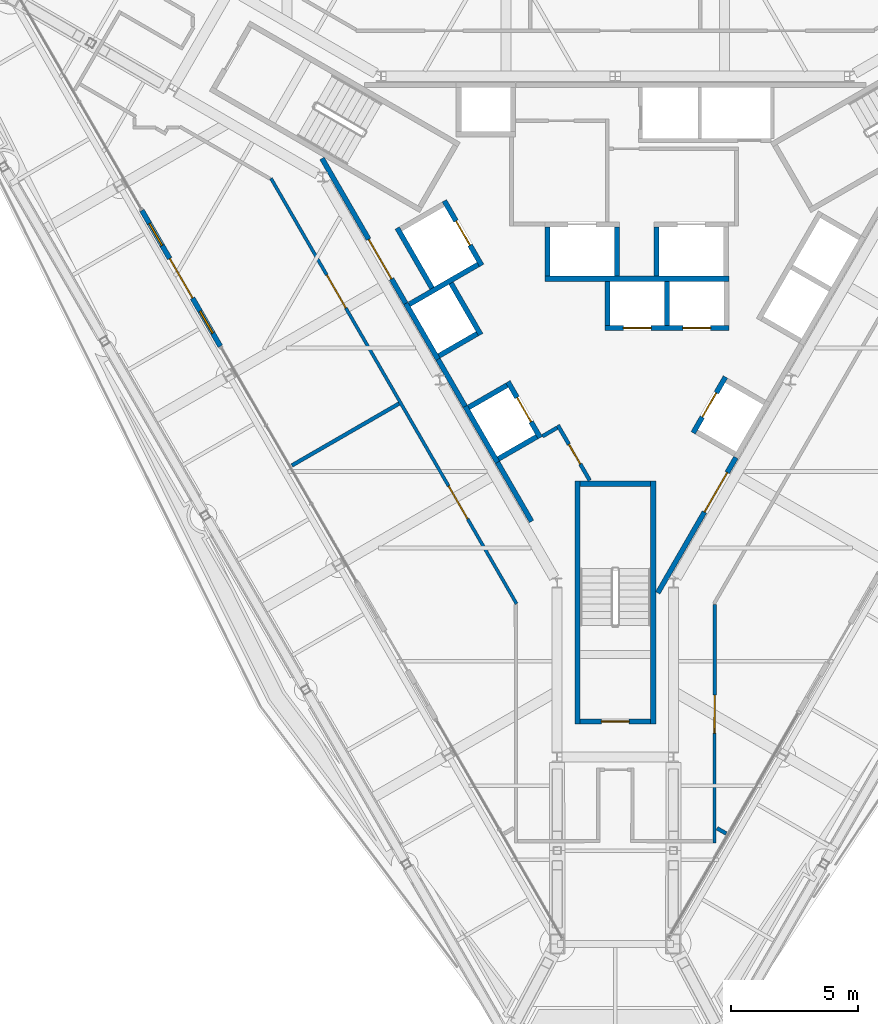
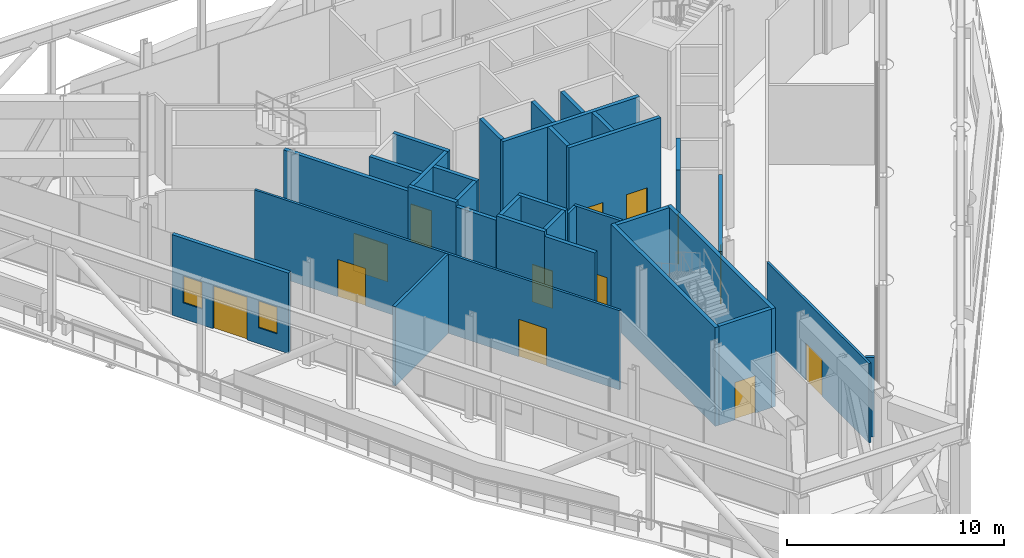
# One storey, part 14 of 24: 33 walls, 13 doors, 2 windows, 15 openings.
"""IFC4 building model written with IfcOpenShell, lengths in metres."""

from ifc_helpers import new_model, si_unit, direction, frame, frame_2d, origin, place, context, subcontext, project, spatial, rectangle, extrude, material, layer, layer_set, type_object, element, fill, save


model = new_model("IFC4")

# Units and contexts
model_context = context("Model", 3, precision=1e-05, world=origin(), true_north=direction((0.0, 1.0)))
body_context = subcontext(model_context, "Body", "Model", "MODEL_VIEW")
ifc_project = project(units=[si_unit("LENGTHUNIT", "METRE"), si_unit("AREAUNIT", "SQUARE_METRE"), si_unit("VOLUMEUNIT", "CUBIC_METRE"), si_unit("PLANEANGLEUNIT", "RADIAN"), si_unit("MASSUNIT", "GRAM", prefix="KILO")], contexts=[model_context])

# Site, building, storey
site_placement = place(None, origin())
site = spatial("IfcSite", under=ifc_project, at=site_placement, CompositionType="ELEMENT")
building_placement = place(site_placement, origin())
building = spatial("IfcBuilding", under=site, at=building_placement, Name="Verrane Prism Tower", CompositionType="ELEMENT")
storey_placement = place(building_placement, frame((0.0, 0.0, 200.60009765625)))
storey = spatial("IfcBuildingStorey", under=building, at=storey_placement, Name="L50", CompositionType="ELEMENT", Elevation=200.60009765625)

# Wall, opening, door
ifc_material_1 = material(Name="Gypsum board partition", Category="other")
ifc_layer_1 = layer(ifc_material_1, 0.199951171875)
ifc_layer_set_1 = layer_set([ifc_layer_1], Name="CW-200 core boundary wall 2 h")
wall_type_1 = type_object("IfcWallType", Name="CW-200 core boundary wall 2 h", PredefinedType="PARTITIONING", material=ifc_layer_set_1)
wall_1_placement = place(storey_placement, frame((-11.590576171875, 4.7548828125, 0.0), z_axis=(0.0, 0.0, 1.0), x_axis=(0.500043977787, -0.866000011708, 0.0)))
wall_1 = element("IfcWall", 1, at=wall_1_placement, inside=storey, type_object=wall_type_1, Name="Core boundary wall CW3-001", PredefinedType="PARTITIONING", context=body_context, shape_type="SweptSolid", body=[
    extrude(rectangle(XDim=6.61669921875, YDim=0.199951171875, at=frame_2d((3.308349609375, 0.0))), origin(), (0.0, 0.0, 1.0), 5.5498046875),
])
opening_1_placement = place(wall_1_placement, frame((3.695068359375, 0.0, 0.0)))
opening_1 = element("IfcOpeningElement", 2, at=opening_1_placement, cuts=wall_1, Name="Opening D50510", PredefinedType="OPENING", context=body_context, shape_type="SweptSolid", body=[
    extrude(rectangle(XDim=1.800048828125, YDim=2.10009765625, at=frame_2d((0.89990234375, 1.050048828125))), frame((0.0, 0.10986328125, 0.0), z_axis=(0.0, -1.0, 0.0), x_axis=(1.0, 0.0, 0.0)), (0.0, 0.0, 1.0), 0.219970703125),
])
ifc_material_2 = material(Name="Timber veneered door leaf", Category="wood")
door_type_1 = type_object("IfcDoorType", Name="DR-1800x2100 FD60 double leaf lift lobby", OperationType="NOTDEFINED", PredefinedType="DOOR", material=ifc_material_2)
door_1_placement = place(opening_1_placement, origin())
door_1 = element("IfcDoor", 3, at=door_1_placement, inside=storey, type_object=door_type_1, Name="Lift lobby door D50510", OperationType="DOUBLE_DOOR_SINGLE_SWING", OverallHeight=2.10009765625, OverallWidth=1.800048828125, PredefinedType="DOOR", context=body_context, shape_type="SweptSolid", body=[
    extrude(rectangle(XDim=1.800048828125, YDim=2.10009765625, at=frame_2d((0.89990234375, 1.050048828125))), frame((0.0, 0.02490234375, 0.0), z_axis=(0.0, -1.0, 0.0), x_axis=(1.0, 0.0, 0.0)), (0.0, 0.0, 1.0), 0.050048828125),
])
fill(opening_1, door_1)

# Walls
wall_2_placement = place(storey_placement, frame((-7.0048828125, -3.18701171875, 0.0), z_axis=(0.0, 0.0, 1.0), x_axis=(0.499689606989, -0.866204535123, 0.0)))
element("IfcWall", 4, at=wall_2_placement, inside=storey, type_object=wall_type_1, Name="Core boundary wall CW3-003", PredefinedType="PARTITIONING", context=body_context, shape_type="SweptSolid", body=[
    extrude(rectangle(XDim=2.144775390625, YDim=0.199951171875, at=frame_2d((1.072265625, 0.0))), origin(), (0.0, 0.0, 1.0), 5.5498046875),
])
wall_3_placement = place(storey_placement, frame((-4.655029296875, -7.257080078125, 0.0), z_axis=(0.0, 0.0, 1.0), x_axis=(0.499874203012, -0.866098020528, 0.0)))
element("IfcWall", 5, at=wall_3_placement, inside=storey, type_object=wall_type_1, Name="Core boundary wall CW3-004", PredefinedType="PARTITIONING", context=body_context, shape_type="SweptSolid", body=[
    extrude(rectangle(XDim=2.692626953125, YDim=0.199951171875, at=frame_2d((1.34619140625, 0.0))), origin(), (0.0, 0.0, 1.0), 5.5498046875),
])

# Wall, opening, door
wall_4_placement = place(storey_placement, frame((1.677490234375, -12.414794921875, 0.0), z_axis=(0.0, 0.0, 1.0), x_axis=(0.500054337157, 0.865994029939, 0.0)))
wall_4 = element("IfcWall", 6, at=wall_4_placement, inside=storey, type_object=wall_type_1, Name="Core boundary wall CW3-006", PredefinedType="PARTITIONING", context=body_context, shape_type="SweptSolid", body=[
    extrude(rectangle(XDim=6.176513671875, YDim=0.199951171875, at=frame_2d((3.08837890625, 0.0))), origin(), (0.0, 0.0, 1.0), 5.5498046875),
])
opening_2_placement = place(wall_4_placement, frame((3.695068359375, 0.0, 0.0)))
opening_2 = element("IfcOpeningElement", 7, at=opening_2_placement, cuts=wall_4, Name="Opening D50516", PredefinedType="OPENING", context=body_context, shape_type="SweptSolid", body=[
    extrude(rectangle(XDim=1.800048828125, YDim=2.10009765625, at=frame_2d((0.89990234375, 1.050048828125))), frame((0.0, 0.10986328125, 0.0), z_axis=(0.0, -1.0, 0.0), x_axis=(1.0, 0.0, 0.0)), (0.0, 0.0, 1.0), 0.219970703125),
])
door_2_placement = place(opening_2_placement, origin())
door_2 = element("IfcDoor", 8, at=door_2_placement, inside=storey, type_object=door_type_1, Name="Lift lobby door D50516", OperationType="DOUBLE_DOOR_SINGLE_SWING", OverallHeight=2.10009765625, OverallWidth=1.800048828125, PredefinedType="DOOR", context=body_context, shape_type="SweptSolid", body=[
    extrude(rectangle(XDim=1.800048828125, YDim=2.10009765625, at=frame_2d((0.89990234375, 1.050048828125))), frame((0.0, 0.02490234375, 0.0), z_axis=(0.0, -1.0, 0.0), x_axis=(1.0, 0.0, 0.0)), (0.0, 0.0, 1.0), 0.050048828125),
])
fill(opening_2, door_2)

ifc_material_3 = material(Name="Concrete C40/50", Category="concrete")
ifc_layer_2 = layer(ifc_material_3, 0.199951171875)
ifc_layer_set_2 = layer_set([ifc_layer_2], Name="CW-200 stair core wall concrete C40/50 3 h")
wall_type_2 = type_object("IfcWallType", Name="CW-200 stair core wall concrete C40/50 3 h", PredefinedType="PARTITIONING", material=ifc_layer_set_2)
wall_5_placement = place(storey_placement, frame((-1.39990234375, -17.5, 0.0), z_axis=(0.0, 0.0, 1.0), x_axis=(1.0, 0.0, 0.0)))
wall_5 = element("IfcWall", 9, at=wall_5_placement, inside=storey, type_object=wall_type_2, Name="Stair 3 enclosure wall", PredefinedType="PARTITIONING", context=body_context, shape_type="SweptSolid", body=[
    extrude(rectangle(XDim=2.7998046875, YDim=0.199951171875, at=frame_2d((1.39990234375, 0.0))), origin(), (0.0, 0.0, 1.0), 5.5498046875),
])
opening_3_placement = place(wall_5_placement, frame((0.85009765625, 0.0, 0.0)))
opening_3 = element("IfcOpeningElement", 10, at=opening_3_placement, cuts=wall_5, Name="Opening D50502", PredefinedType="OPENING", context=body_context, shape_type="SweptSolid", body=[
    extrude(rectangle(XDim=1.10009765625, YDim=2.10009765625, at=frame_2d((0.550048828125, 1.050048828125))), frame((0.0, 0.10986328125, 0.0), z_axis=(0.0, -1.0, 0.0), x_axis=(1.0, 0.0, 0.0)), (0.0, 0.0, 1.0), 0.219970703125),
])
ifc_material_4 = material(Name="Timber veneered door leaf", Category="wood")
door_type_2 = type_object("IfcDoorType", Name="DR-1100x2100 FD90 single leaf stair", OperationType="NOTDEFINED", PredefinedType="DOOR", material=ifc_material_4)
door_3_placement = place(opening_3_placement, origin())
door_3 = element("IfcDoor", 11, at=door_3_placement, inside=storey, type_object=door_type_2, Name="Stair 3 door", OperationType="SINGLE_SWING_LEFT", OverallHeight=2.10009765625, OverallWidth=1.10009765625, PredefinedType="DOOR", context=body_context, shape_type="SweptSolid", body=[
    extrude(rectangle(XDim=1.10009765625, YDim=2.10009765625, at=frame_2d((0.550048828125, 1.050048828125))), frame((0.0, 0.02490234375, 0.0), z_axis=(0.0, -1.0, 0.0), x_axis=(1.0, 0.0, 0.0)), (0.0, 0.0, 1.0), 0.050048828125),
])
fill(opening_3, door_3)

# Walls
for number, where, z_axis, x_axis, name in (
    (12, (1.5, -8.0, 0.0), (0.0, 0.0, 1.0), (0.0, -1.0, 0.0), "Stair 3 enclosure wall"),
    (13, (-1.5, -8.0, 0.0), (0.0, 0.0, 1.0), (0.0, -1.0, 0.0), "Stair 3 enclosure wall"),
):
    element("IfcWall", number, at=place(storey_placement, frame(where, z_axis=z_axis, x_axis=x_axis)), inside=storey, type_object=wall_type_2, Name=name, PredefinedType="PARTITIONING", context=body_context, shape_type="SweptSolid", body=[
        extrude(rectangle(XDim=9.60009765625, YDim=0.199951171875, at=frame_2d((4.800048828125, 0.0))), origin(), (0.0, 0.0, 1.0), 5.5498046875),
    ])
wall_6_placement = place(storey_placement, frame((-1.39990234375, -8.10009765625, 0.0), z_axis=(0.0, 0.0, 1.0), x_axis=(1.0, 0.0, 0.0)))
element("IfcWall", 14, at=wall_6_placement, inside=storey, type_object=wall_type_2, Name="Stair 3 enclosure wall", PredefinedType="PARTITIONING", context=body_context, shape_type="SweptSolid", body=[
    extrude(rectangle(XDim=2.7998046875, YDim=0.199951171875, at=frame_2d((1.39990234375, 0.0))), origin(), (0.0, 0.0, 1.0), 5.5498046875),
])

# Wall, openings, doors
ifc_material_5 = material(Name="Gypsum board shaft wall assembly", Category="other")
ifc_layer_3 = layer(ifc_material_5, 0.199951171875)
ifc_layer_set_3 = layer_set([ifc_layer_3], Name="HW-200 lift shaft wall 2 h")
wall_type_3 = type_object("IfcWallType", Name="HW-200 lift shaft wall 2 h", PredefinedType="PARTITIONING", material=ifc_layer_set_3)
wall_7_placement = place(storey_placement, frame((-0.405029296875, -1.949951171875, 0.0), z_axis=(0.0, 0.0, 1.0), x_axis=(1.0, 0.0, 0.0)))
wall_7 = element("IfcWall", 15, at=wall_7_placement, inside=storey, type_object=wall_type_3, Name="Lift shaft wall", PredefinedType="PARTITIONING", context=body_context, shape_type="SweptSolid", body=[
    extrude(rectangle(XDim=4.900146484375, YDim=0.199951171875, at=frame_2d((2.4501953125, 0.0))), origin(), (0.0, 0.0, 1.0), 5.7998046875),
])
opening_4_placement = place(wall_7_placement, frame((0.72509765625, 0.0, 0.0)))
opening_4 = element("IfcOpeningElement", 16, at=opening_4_placement, cuts=wall_7, Name="Opening D50503", PredefinedType="OPENING", context=body_context, shape_type="SweptSolid", body=[
    extrude(rectangle(XDim=1.10009765625, YDim=2.10009765625, at=frame_2d((0.550048828125, 1.050048828125))), frame((0.0, 0.10986328125, 0.0), z_axis=(0.0, -1.0, 0.0), x_axis=(1.0, 0.0, 0.0)), (0.0, 0.0, 1.0), 0.219970703125),
])
opening_5_placement = place(wall_7_placement, frame((3.074951171875, 0.0, 0.0)))
opening_5 = element("IfcOpeningElement", 17, at=opening_5_placement, cuts=wall_7, Name="Opening D50504", PredefinedType="OPENING", context=body_context, shape_type="SweptSolid", body=[
    extrude(rectangle(XDim=1.10009765625, YDim=2.10009765625, at=frame_2d((0.550048828125, 1.050048828125))), frame((0.0, 0.10986328125, 0.0), z_axis=(0.0, -1.0, 0.0), x_axis=(1.0, 0.0, 0.0)), (0.0, 0.0, 1.0), 0.219970703125),
])
ifc_material_6 = material(Name="Stainless steel sliding landing door", Category="steel")
door_type_3 = type_object("IfcDoorType", Name="LD-1100x2100 lift landing door FD90 sliding", OperationType="NOTDEFINED", PredefinedType="DOOR", material=ifc_material_6)
door_4_placement = place(opening_4_placement, origin())
door_4 = element("IfcDoor", 18, at=door_4_placement, inside=storey, type_object=door_type_3, Name="Bank B lift 1 landing door", OperationType="SLIDING_TO_LEFT", OverallHeight=2.10009765625, OverallWidth=1.10009765625, PredefinedType="DOOR", context=body_context, shape_type="SweptSolid", body=[
    extrude(rectangle(XDim=1.10009765625, YDim=2.10009765625, at=frame_2d((0.550048828125, 1.050048828125))), frame((0.0, 0.02490234375, 0.0), z_axis=(0.0, -1.0, 0.0), x_axis=(1.0, 0.0, 0.0)), (0.0, 0.0, 1.0), 0.050048828125),
])
fill(opening_4, door_4)
door_5_placement = place(opening_5_placement, origin())
door_5 = element("IfcDoor", 19, at=door_5_placement, inside=storey, type_object=door_type_3, Name="Bank B lift 2 landing door", OperationType="SLIDING_TO_RIGHT", OverallHeight=2.10009765625, OverallWidth=1.10009765625, PredefinedType="DOOR", context=body_context, shape_type="SweptSolid", body=[
    extrude(rectangle(XDim=1.10009765625, YDim=2.10009765625, at=frame_2d((0.550048828125, 1.050048828125))), frame((0.0, 0.02490234375, 0.0), z_axis=(0.0, -1.0, 0.0), x_axis=(1.0, 0.0, 0.0)), (0.0, 0.0, 1.0), 0.050048828125),
])
fill(opening_5, door_5)

# Walls
wall_8_placement = place(storey_placement, frame((-2.784912109375, 0.0, 0.0), z_axis=(0.0, 0.0, 1.0), x_axis=(1.0, 0.0, 0.0)))
element("IfcWall", 20, at=wall_8_placement, inside=storey, type_object=wall_type_3, Name="Lift shaft wall", PredefinedType="PARTITIONING", context=body_context, shape_type="SweptSolid", body=[
    extrude(rectangle(XDim=7.280029296875, YDim=0.199951171875, at=frame_2d((3.64013671875, 0.0))), origin(), (0.0, 0.0, 1.0), 5.7998046875),
])
for number, where, z_axis, x_axis, name in (
    (21, (-4.61962890625, -7.118408203125, 0.0), (0.0, 0.0, 1.0), (0.866036909293, 0.499980071345, 0.0), "Lift shaft wall"),
    (22, (-5.794677734375, -5.083251953125, 0.0), (0.0, 0.0, 1.0), (0.866036909293, 0.499980071345, 0.0), "Lift shaft wall"),
    (23, (-6.9697265625, -3.048095703125, 0.0), (0.0, 0.0, 1.0), (0.866036909293, 0.499980071345, 0.0), "Lift shaft wall"),
):
    element("IfcWall", number, at=place(storey_placement, frame(where, z_axis=z_axis, x_axis=x_axis)), inside=storey, type_object=wall_type_3, Name=name, PredefinedType="PARTITIONING", context=body_context, shape_type="SweptSolid", body=[
        extrude(rectangle(XDim=1.75, YDim=0.199951171875, at=frame_2d((0.875, 0.0))), origin(), (0.0, 0.0, 1.0), 5.7998046875),
    ])
wall_9_placement = place(storey_placement, frame((-8.14453125, -1.012939453125, 0.0), z_axis=(0.0, 0.0, 1.0), x_axis=(0.866016494683, 0.500015430699, 0.0)))
element("IfcWall", 24, at=wall_9_placement, inside=storey, type_object=wall_type_3, Name="Lift shaft wall", PredefinedType="PARTITIONING", context=body_context, shape_type="SweptSolid", body=[
    extrude(rectangle(XDim=3.14990234375, YDim=0.199951171875, at=frame_2d((1.574951171875, 0.0))), origin(), (0.0, 0.0, 1.0), 5.7998046875),
])

# Wall, opening, door
wall_10_placement = place(storey_placement, frame((3.077392578125, -6.089599609375, 0.0), z_axis=(0.0, 0.0, 1.0), x_axis=(0.500062241894, 0.865989465428, 0.0)))
wall_10 = element("IfcWall", 25, at=wall_10_placement, inside=storey, type_object=wall_type_3, Name="Lift shaft wall", PredefinedType="PARTITIONING", context=body_context, shape_type="SweptSolid", body=[
    extrude(rectangle(XDim=2.550048828125, YDim=0.199951171875, at=frame_2d((1.27490234375, 0.0))), origin(), (0.0, 0.0, 1.0), 5.7998046875),
])
opening_6_placement = place(wall_10_placement, frame((0.72509765625, 0.0, 0.0)))
opening_6 = element("IfcOpeningElement", 26, at=opening_6_placement, cuts=wall_10, Name="Opening D50505", PredefinedType="OPENING", context=body_context, shape_type="SweptSolid", body=[
    extrude(rectangle(XDim=1.10009765625, YDim=2.10009765625, at=frame_2d((0.550048828125, 1.050048828125))), frame((0.0, 0.10986328125, 0.0), z_axis=(0.0, -1.0, 0.0), x_axis=(1.0, 0.0, 0.0)), (0.0, 0.0, 1.0), 0.219970703125),
])
door_6_placement = place(opening_6_placement, origin())
door_6 = element("IfcDoor", 27, at=door_6_placement, inside=storey, type_object=door_type_3, Name="Bank B lift 3 landing door", OperationType="SLIDING_TO_LEFT", OverallHeight=2.10009765625, OverallWidth=1.10009765625, PredefinedType="DOOR", context=body_context, shape_type="SweptSolid", body=[
    extrude(rectangle(XDim=1.10009765625, YDim=2.10009765625, at=frame_2d((0.550048828125, 1.050048828125))), frame((0.0, 0.02490234375, 0.0), z_axis=(0.0, -1.0, 0.0), x_axis=(1.0, 0.0, 0.0)), (0.0, 0.0, 1.0), 0.050048828125),
])
fill(opening_6, door_6)

# Walls
wall_11_placement = place(storey_placement, frame((2.044921875, -1.85009765625, 0.0), z_axis=(0.0, 0.0, 1.0), x_axis=(0.0, 1.0, 0.0)))
element("IfcWall", 28, at=wall_11_placement, inside=storey, type_object=wall_type_3, Name="Lift shaft wall", PredefinedType="PARTITIONING", context=body_context, shape_type="SweptSolid", body=[
    extrude(rectangle(XDim=1.75, YDim=0.199951171875, at=frame_2d((0.875, 0.0))), origin(), (0.0, 0.0, 1.0), 5.7998046875),
])
for number, where, z_axis, x_axis, name in (
    (29, (1.625, 0.10009765625, 0.0), (0.0, 0.0, 1.0), (0.0, 1.0, 0.0), "Lift shaft wall"),
    (30, (0.06494140625, 0.10009765625, 0.0), (0.0, 0.0, 1.0), (0.0, 1.0, 0.0), "Lift shaft wall"),
):
    element("IfcWall", number, at=place(storey_placement, frame(where, z_axis=z_axis, x_axis=x_axis)), inside=storey, type_object=wall_type_3, Name=name, PredefinedType="PARTITIONING", context=body_context, shape_type="SweptSolid", body=[
        extrude(rectangle(XDim=1.949951171875, YDim=0.199951171875, at=frame_2d((0.97509765625, 0.0))), origin(), (0.0, 0.0, 1.0), 5.7998046875),
    ])
wall_12_placement = place(storey_placement, frame((-0.304931640625, -1.85009765625, 0.0), z_axis=(0.0, 0.0, 1.0), x_axis=(0.0, 1.0, 0.0)))
element("IfcWall", 31, at=wall_12_placement, inside=storey, type_object=wall_type_3, Name="Lift shaft wall", PredefinedType="PARTITIONING", context=body_context, shape_type="SweptSolid", body=[
    extrude(rectangle(XDim=1.75, YDim=0.199951171875, at=frame_2d((0.875, 0.0))), origin(), (0.0, 0.0, 1.0), 5.7998046875),
])
wall_13_placement = place(storey_placement, frame((-2.68505859375, 0.10009765625, 0.0), z_axis=(0.0, 0.0, 1.0), x_axis=(0.0, 1.0, 0.0)))
element("IfcWall", 32, at=wall_13_placement, inside=storey, type_object=wall_type_3, Name="Lift shaft wall", PredefinedType="PARTITIONING", context=body_context, shape_type="SweptSolid", body=[
    extrude(rectangle(XDim=1.949951171875, YDim=0.199951171875, at=frame_2d((0.97509765625, 0.0))), origin(), (0.0, 0.0, 1.0), 5.7998046875),
])

# Wall, opening, door
wall_14_placement = place(storey_placement, frame((-5.280029296875, 0.525390625, 0.0), z_axis=(0.0, 0.0, 1.0), x_axis=(-0.500037662692, 0.866003658127, 0.0)))
wall_14 = element("IfcWall", 33, at=wall_14_placement, inside=storey, type_object=wall_type_3, Name="Lift shaft wall", PredefinedType="PARTITIONING", context=body_context, shape_type="SweptSolid", body=[
    extrude(rectangle(XDim=2.949951171875, YDim=0.199951171875, at=frame_2d((1.47509765625, 0.0))), origin(), (0.0, 0.0, 1.0), 5.7998046875),
])
opening_7_placement = place(wall_14_placement, frame((0.925048828125, 0.0, 0.0)))
opening_7 = element("IfcOpeningElement", 34, at=opening_7_placement, cuts=wall_14, Name="Opening D50509", PredefinedType="OPENING", context=body_context, shape_type="SweptSolid", body=[
    extrude(rectangle(XDim=1.10009765625, YDim=2.10009765625, at=frame_2d((0.550048828125, 1.050048828125))), frame((0.0, 0.10986328125, 0.0), z_axis=(0.0, -1.0, 0.0), x_axis=(1.0, 0.0, 0.0)), (0.0, 0.0, 1.0), 0.219970703125),
])
door_7_placement = place(opening_7_placement, origin())
door_7 = element("IfcDoor", 35, at=door_7_placement, inside=storey, type_object=door_type_3, Name="Service lift 1 landing door", OperationType="SLIDING_TO_LEFT", OverallHeight=2.10009765625, OverallWidth=1.10009765625, PredefinedType="DOOR", context=body_context, shape_type="SweptSolid", body=[
    extrude(rectangle(XDim=1.10009765625, YDim=2.10009765625, at=frame_2d((0.550048828125, 1.050048828125))), frame((0.0, 0.02490234375, 0.0), z_axis=(0.0, -1.0, 0.0), x_axis=(1.0, 0.0, 0.0)), (0.0, 0.0, 1.0), 0.050048828125),
])
fill(opening_7, door_7)

wall_15_placement = place(storey_placement, frame((-2.967529296875, -6.280029296875, 0.0), z_axis=(0.0, 0.0, 1.0), x_axis=(-0.499990435942, 0.866030925526, 0.0)))
wall_15 = element("IfcWall", 36, at=wall_15_placement, inside=storey, type_object=wall_type_3, Name="Lift shaft wall", PredefinedType="PARTITIONING", context=body_context, shape_type="SweptSolid", body=[
    extrude(rectangle(XDim=2.5498046875, YDim=0.199951171875, at=frame_2d((1.27490234375, 0.0))), origin(), (0.0, 0.0, 1.0), 5.7998046875),
])
opening_8_placement = place(wall_15_placement, frame((0.72509765625, 0.0, 0.0)))
opening_8 = element("IfcOpeningElement", 37, at=opening_8_placement, cuts=wall_15, Name="Opening D50506", PredefinedType="OPENING", context=body_context, shape_type="SweptSolid", body=[
    extrude(rectangle(XDim=1.10009765625, YDim=2.10009765625, at=frame_2d((0.550048828125, 1.050048828125))), frame((0.0, 0.10986328125, 0.0), z_axis=(0.0, -1.0, 0.0), x_axis=(1.0, 0.0, 0.0)), (0.0, 0.0, 1.0), 0.219970703125),
])
door_8_placement = place(opening_8_placement, origin())
door_8 = element("IfcDoor", 38, at=door_8_placement, inside=storey, type_object=door_type_3, Name="Bank B lift 4 landing door", OperationType="SLIDING_TO_RIGHT", OverallHeight=2.10009765625, OverallWidth=1.10009765625, PredefinedType="DOOR", context=body_context, shape_type="SweptSolid", body=[
    extrude(rectangle(XDim=1.10009765625, YDim=2.10009765625, at=frame_2d((0.550048828125, 1.050048828125))), frame((0.0, 0.02490234375, 0.0), z_axis=(0.0, -1.0, 0.0), x_axis=(1.0, 0.0, 0.0)), (0.0, 0.0, 1.0), 0.050048828125),
])
fill(opening_8, door_8)

# Walls
wall_16_placement = place(storey_placement, frame((-5.317626953125, -2.209716796875, 0.0), z_axis=(0.0, 0.0, 1.0), x_axis=(-0.499938297808, 0.866061024631, 0.0)))
element("IfcWall", 39, at=wall_16_placement, inside=storey, type_object=wall_type_3, Name="Lift shaft wall", PredefinedType="PARTITIONING", context=body_context, shape_type="SweptSolid", body=[
    extrude(rectangle(XDim=2.349853515625, YDim=0.199951171875, at=frame_2d((1.1748046875, 0.0))), origin(), (0.0, 0.0, 1.0), 5.7998046875),
])
wall_17_placement = place(storey_placement, frame((-7.241943359375, -0.37646484375, 0.0), z_axis=(0.0, 0.0, 1.0), x_axis=(-0.499996545922, 0.866027397988, 0.0)))
element("IfcWall", 40, at=wall_17_placement, inside=storey, type_object=wall_type_3, Name="Lift shaft wall", PredefinedType="PARTITIONING", context=body_context, shape_type="SweptSolid", body=[
    extrude(rectangle(XDim=2.75, YDim=0.199951171875, at=frame_2d((1.375, 0.0))), origin(), (0.0, 0.0, 1.0), 5.7998046875),
])
for number, where, z_axis, x_axis, name in (
    (41, (-4.65625, -7.255126953125, 0.0), (0.0, 0.0, 1.0), (-0.499990435942, 0.866030925526, 0.0), "Lift shaft wall"),
    (42, (-7.00634765625, -3.184814453125, 0.0), (0.0, 0.0, 1.0), (-0.499990435942, 0.866030925526, 0.0), "Lift shaft wall"),
):
    element("IfcWall", number, at=place(storey_placement, frame(where, z_axis=z_axis, x_axis=x_axis)), inside=storey, type_object=wall_type_3, Name=name, PredefinedType="PARTITIONING", context=body_context, shape_type="SweptSolid", body=[
        extrude(rectangle(XDim=2.5498046875, YDim=0.199951171875, at=frame_2d((1.27490234375, 0.0))), origin(), (0.0, 0.0, 1.0), 5.7998046875),
    ])

# Wall, openings, doors
ifc_material_7 = material(Name="Gypsum board partition", Category="other")
ifc_layer_4 = layer(ifc_material_7, 0.125)
ifc_layer_set_4 = layer_set([ifc_layer_4], Name="PW-125 corridor wall 1 h")
wall_type_4 = type_object("IfcWallType", Name="PW-125 corridor wall 1 h", PredefinedType="PARTITIONING", material=ifc_layer_set_4)
wall_18_placement = place(storey_placement, frame((-3.900634765625, -12.84423828125, 0.0), z_axis=(0.0, 0.0, 1.0), x_axis=(-0.499989213553, 0.866031631253, 0.0)))
wall_18 = element("IfcWall", 43, at=wall_18_placement, inside=storey, type_object=wall_type_4, Name="Corridor wall 019", PredefinedType="PARTITIONING", context=body_context, shape_type="SweptSolid", body=[
    extrude(rectangle(XDim=19.40966796875, YDim=0.125, at=frame_2d((9.704833984375, 0.0))), origin(), (0.0, 0.0, 1.0), 4.4619140625),
])
opening_9_placement = place(wall_18_placement, frame((13.4970703125, 0.0, 0.0)))
opening_9 = element("IfcOpeningElement", 44, at=opening_9_placement, cuts=wall_18, Name="Opening D50004", PredefinedType="OPENING", context=body_context, shape_type="SweptSolid", body=[
    extrude(rectangle(XDim=1.5, YDim=2.10009765625, at=frame_2d((0.75, 1.050048828125))), frame((0.0, 0.072509765625, 0.0), z_axis=(0.0, -1.0, 0.0), x_axis=(1.0, 0.0, 0.0)), (0.0, 0.0, 1.0), 0.14501953125),
])
opening_10_placement = place(wall_18_placement, frame((3.873046875, 0.0, 0.0)))
opening_10 = element("IfcOpeningElement", 45, at=opening_10_placement, cuts=wall_18, Name="Opening D50005", PredefinedType="OPENING", context=body_context, shape_type="SweptSolid", body=[
    extrude(rectangle(XDim=1.5, YDim=2.10009765625, at=frame_2d((0.75, 1.050048828125))), frame((0.0, 0.072509765625, 0.0), z_axis=(0.0, -1.0, 0.0), x_axis=(1.0, 0.0, 0.0)), (0.0, 0.0, 1.0), 0.14501953125),
])
ifc_material_8 = material(Name="Timber veneered door leaf", Category="wood")
door_type_4 = type_object("IfcDoorType", Name="DR-1500x2100 FD60 double leaf unit", OperationType="NOTDEFINED", PredefinedType="DOOR", material=ifc_material_8)
door_9_placement = place(opening_9_placement, origin())
door_9 = element("IfcDoor", 46, at=door_9_placement, inside=storey, type_object=door_type_4, Name="Refuge Area door", OperationType="DOUBLE_DOOR_SINGLE_SWING", OverallHeight=2.10009765625, OverallWidth=1.5, PredefinedType="DOOR", context=body_context, shape_type="SweptSolid", body=[
    extrude(rectangle(XDim=1.5, YDim=2.10009765625, at=frame_2d((0.75, 1.050048828125))), frame((0.0, 0.02490234375, 0.0), z_axis=(0.0, -1.0, 0.0), x_axis=(1.0, 0.0, 0.0)), (0.0, 0.0, 1.0), 0.050048828125),
])
fill(opening_9, door_9)
door_10_placement = place(opening_10_placement, origin())
door_10 = element("IfcDoor", 47, at=door_10_placement, inside=storey, type_object=door_type_4, Name="Refuge Area door", OperationType="DOUBLE_DOOR_SINGLE_SWING", OverallHeight=2.10009765625, OverallWidth=1.5, PredefinedType="DOOR", context=body_context, shape_type="SweptSolid", body=[
    extrude(rectangle(XDim=1.5, YDim=2.10009765625, at=frame_2d((0.75, 1.050048828125))), frame((0.0, 0.02490234375, 0.0), z_axis=(0.0, -1.0, 0.0), x_axis=(1.0, 0.0, 0.0)), (0.0, 0.0, 1.0), 0.050048828125),
])
fill(opening_10, door_10)

# Wall, opening, door
wall_19_placement = place(storey_placement, frame((3.931884765625, -12.875, 0.0), z_axis=(0.0, 0.0, 1.0), x_axis=(-0.001477830899, -0.999998908007, 0.0)))
wall_19 = element("IfcWall", 48, at=wall_19_placement, inside=storey, type_object=wall_type_4, Name="Corridor wall 031", PredefinedType="PARTITIONING", context=body_context, shape_type="SweptSolid", body=[
    extrude(rectangle(XDim=9.41650390625, YDim=0.125, at=frame_2d((4.708251953125, 0.0))), origin(), (0.0, 0.0, 1.0), 4.4619140625),
])
opening_11_placement = place(wall_19_placement, frame((3.580078125, 0.0, 0.0)))
opening_11 = element("IfcOpeningElement", 49, at=opening_11_placement, cuts=wall_19, Name="Opening D50007", PredefinedType="OPENING", context=body_context, shape_type="SweptSolid", body=[
    extrude(rectangle(XDim=1.5, YDim=2.10009765625, at=frame_2d((0.75, 1.050048828125))), frame((0.0, 0.072509765625, 0.0), z_axis=(0.0, -1.0, 0.0), x_axis=(1.0, 0.0, 0.0)), (0.0, 0.0, 1.0), 0.14501953125),
])
door_11_placement = place(opening_11_placement, origin())
door_11 = element("IfcDoor", 50, at=door_11_placement, inside=storey, type_object=door_type_4, Name="Refuge Area door", OperationType="DOUBLE_DOOR_SINGLE_SWING", OverallHeight=2.10009765625, OverallWidth=1.5, PredefinedType="DOOR", context=body_context, shape_type="SweptSolid", body=[
    extrude(rectangle(XDim=1.5, YDim=2.10009765625, at=frame_2d((0.75, 1.050048828125))), frame((0.0, 0.02490234375, 0.0), z_axis=(0.0, -1.0, 0.0), x_axis=(1.0, 0.0, 0.0)), (0.0, 0.0, 1.0), 0.050048828125),
])
fill(opening_11, door_11)

# Walls
ifc_material_9 = material(Name="Gypsum board partition", Category="other")
ifc_layer_5 = layer(ifc_material_9, 0.14990234375)
ifc_layer_set_5 = layer_set([ifc_layer_5], Name="PW-150 demising wall 1 h")
wall_type_5 = type_object("IfcWallType", Name="PW-150 demising wall 1 h", PredefinedType="PARTITIONING", material=ifc_layer_set_5)
wall_20_placement = place(storey_placement, frame((-12.7783203125, -7.377685546875, 0.0), z_axis=(0.0, 0.0, 1.0), x_axis=(0.866027544323, 0.49999629246, 0.0)))
element("IfcWall", 51, at=wall_20_placement, inside=storey, type_object=wall_type_5, Name="Demising wall 020", PredefinedType="PARTITIONING", context=body_context, shape_type="SweptSolid", body=[
    extrude(rectangle(XDim=4.8876953125, YDim=0.14990234375, at=frame_2d((2.44384765625, 0.0))), origin(), (0.0, 0.0, 1.0), 4.4619140625),
])
wall_21_placement = place(storey_placement, frame((4.018798828125, -21.712646484375, 0.0), z_axis=(0.0, 0.0, 1.0), x_axis=(0.86626321595, -0.499587870841, 0.0)))
element("IfcWall", 52, at=wall_21_placement, inside=storey, type_object=wall_type_5, Name="Demising wall 032", PredefinedType="PARTITIONING", context=body_context, shape_type="SweptSolid", body=[
    extrude(rectangle(XDim=0.418701171875, YDim=0.14990234375, at=frame_2d((0.20947265625, 0.0))), origin(), (0.0, 0.0, 1.0), 4.4619140625),
])
ifc_material_10 = material(Name="Gypsum board partition", Category="other")
ifc_layer_6 = layer(ifc_material_10, 0.14990234375)
ifc_layer_set_6 = layer_set([ifc_layer_6], Name="RS-150 riser enclosure wall 1 h")
wall_type_6 = type_object("IfcWallType", Name="RS-150 riser enclosure wall 1 h", PredefinedType="PARTITIONING", material=ifc_layer_set_6)
wall_22_placement = place(storey_placement, frame((-2.8798828125, -6.22607421875, 0.0), z_axis=(0.0, 0.0, 1.0), x_axis=(0.864778766909, 0.502153048684, 0.0)))
element("IfcWall", 53, at=wall_22_placement, inside=storey, type_object=wall_type_6, Name="Riser wall RS3-001", PredefinedType="PARTITIONING", context=body_context, shape_type="SweptSolid", body=[
    extrude(rectangle(XDim=0.671875, YDim=0.14990234375, at=frame_2d((0.3359375, 0.0))), origin(), (0.0, 0.0, 1.0), 5.5498046875),
])

# Wall, opening, door
wall_23_placement = place(storey_placement, frame((-1.010498046875, -7.9697265625, 0.0), z_axis=(0.0, 0.0, 1.0), x_axis=(-0.500085626378, 0.865975961728, 0.0)))
wall_23 = element("IfcWall", 54, at=wall_23_placement, inside=storey, type_object=wall_type_6, Name="Riser wall RS3-002", PredefinedType="PARTITIONING", context=body_context, shape_type="SweptSolid", body=[
    extrude(rectangle(XDim=2.521484375, YDim=0.14990234375, at=frame_2d((1.2607421875, 0.0))), origin(), (0.0, 0.0, 1.0), 5.5498046875),
])
opening_12_placement = place(wall_23_placement, frame((0.74658203125, 0.0, 0.0)))
opening_12 = element("IfcOpeningElement", 55, at=opening_12_placement, cuts=wall_23, Name="Opening D50512", PredefinedType="OPENING", context=body_context, shape_type="SweptSolid", body=[
    extrude(rectangle(XDim=0.89990234375, YDim=2.10009765625, at=frame_2d((0.449951171875, 1.050048828125))), frame((0.0, 0.0849609375, 0.0), z_axis=(0.0, -1.0, 0.0), x_axis=(1.0, 0.0, 0.0)), (0.0, 0.0, 1.0), 0.169921875),
])
ifc_material_11 = material(Name="Timber veneered door leaf", Category="wood")
door_type_5 = type_object("IfcDoorType", Name="DR-900x2100 FD20 single leaf store", OperationType="NOTDEFINED", PredefinedType="DOOR", material=ifc_material_11)
door_12_placement = place(opening_12_placement, origin())
door_12 = element("IfcDoor", 56, at=door_12_placement, inside=storey, type_object=door_type_5, Name="Room door D50512", OperationType="SINGLE_SWING_RIGHT", OverallHeight=2.10009765625, OverallWidth=0.89990234375, PredefinedType="DOOR", context=body_context, shape_type="SweptSolid", body=[
    extrude(rectangle(XDim=0.89990234375, YDim=2.10009765625, at=frame_2d((0.449951171875, 1.050048828125))), frame((0.0, 0.02490234375, 0.0), z_axis=(0.0, -1.0, 0.0), x_axis=(1.0, 0.0, 0.0)), (0.0, 0.0, 1.0), 0.050048828125),
])
fill(opening_12, door_12)

# Wall, openings, door, windows
ifc_material_12 = material(Name="Aluminium framed insulated glazing", Category="aluminium")
ifc_layer_7 = layer(ifc_material_12, 0.199951171875)
ifc_layer_set_7 = layer_set([ifc_layer_7], Name="Refuge screen wall 200")
wall_type_7 = type_object("IfcWallType", Name="Refuge screen wall 200", PredefinedType="SOLIDWALL", material=ifc_layer_set_7)
wall_24_placement = place(storey_placement, frame((-18.707763671875, 2.70068359375, 0.0), z_axis=(0.0, 0.0, 1.0), x_axis=(0.500009909098, -0.866019682689, 0.0)))
wall_24 = element("IfcWall", 57, at=wall_24_placement, inside=storey, type_object=wall_type_7, Name="Refuge screen wall south-west face L50", PredefinedType="SOLIDWALL", context=body_context, shape_type="SweptSolid", body=[
    extrude(rectangle(XDim=6.199951171875, YDim=0.199951171875, at=frame_2d((3.10009765625, 0.0))), origin(), (0.0, 0.0, 1.0), 4.522216796875),
])
opening_13_placement = place(wall_24_placement, frame((0.60009765625, 0.0, 0.89990234375)))
opening_13 = element("IfcOpeningElement", 58, at=opening_13_placement, cuts=wall_24, Name="Opening W50703", PredefinedType="OPENING", context=body_context, shape_type="SweptSolid", body=[
    extrude(rectangle(XDim=1.0, YDim=1.5, at=frame_2d((0.5, 0.75))), frame((0.0, 0.10986328125, 0.0), z_axis=(0.0, -1.0, 0.0), x_axis=(1.0, 0.0, 0.0)), (0.0, 0.0, 1.0), 0.219970703125),
])
opening_14_placement = place(wall_24_placement, frame((2.199951171875, 0.0, 0.0)))
opening_14 = element("IfcOpeningElement", 59, at=opening_14_placement, cuts=wall_24, Name="Opening D50702", PredefinedType="OPENING", context=body_context, shape_type="SweptSolid", body=[
    extrude(rectangle(XDim=1.800048828125, YDim=2.39990234375, at=frame_2d((0.89990234375, 1.199951171875))), frame((0.0, 0.10986328125, 0.0), z_axis=(0.0, -1.0, 0.0), x_axis=(1.0, 0.0, 0.0)), (0.0, 0.0, 1.0), 0.219970703125),
])
opening_15_placement = place(wall_24_placement, frame((4.60009765625, 0.0, 0.89990234375)))
opening_15 = element("IfcOpeningElement", 60, at=opening_15_placement, cuts=wall_24, Name="Opening W50704", PredefinedType="OPENING", context=body_context, shape_type="SweptSolid", body=[
    extrude(rectangle(XDim=1.0, YDim=1.5, at=frame_2d((0.5, 0.75))), frame((0.0, 0.10986328125, 0.0), z_axis=(0.0, -1.0, 0.0), x_axis=(1.0, 0.0, 0.0)), (0.0, 0.0, 1.0), 0.219970703125),
])
ifc_material_13 = material(Name="Aluminium framed glazing", Category="aluminium")
door_type_6 = type_object("IfcDoorType", Name="DR-1800x2400 double glazed garden door", OperationType="DOUBLE_DOOR_SINGLE_SWING", PredefinedType="DOOR", material=ifc_material_13)
door_13_placement = place(opening_14_placement, frame((1.800048828125, 0.0, 0.0), z_axis=(0.0, 0.0, 1.0), x_axis=(-1.0, 0.0, 0.0)))
door_13 = element("IfcDoor", 61, at=door_13_placement, inside=storey, type_object=door_type_6, Name="Refuge terrace door D50702", OperationType="DOUBLE_DOOR_SINGLE_SWING", OverallHeight=2.39990234375, OverallWidth=1.800048828125, PredefinedType="DOOR", context=body_context, shape_type="SweptSolid", body=[
    extrude(rectangle(XDim=1.800048828125, YDim=2.39990234375, at=frame_2d((0.89990234375, 1.199951171875))), frame((0.0, 0.02490234375, 0.0), z_axis=(0.0, -1.0, 0.0), x_axis=(1.0, 0.0, 0.0)), (0.0, 0.0, 1.0), 0.050048828125),
])
fill(opening_14, door_13)
ifc_material_14 = material(Name="Aluminium framed glazing", Category="aluminium")
window_type = type_object("IfcWindowType", Name="Vent window 1000x1500 top hung", PartitioningType="SINGLE_PANEL", PredefinedType="WINDOW", material=ifc_material_14)
window_1_placement = place(opening_13_placement, origin())
window_1 = element("IfcWindow", 62, at=window_1_placement, inside=storey, type_object=window_type, Name="Vent window W50703", OverallHeight=1.5, OverallWidth=1.0, PartitioningType="SINGLE_PANEL", PredefinedType="WINDOW", context=body_context, shape_type="SweptSolid", body=[
    extrude(rectangle(XDim=1.0, YDim=1.5, at=frame_2d((0.5, 0.75))), frame((0.0, 0.030029296875, 0.0), z_axis=(0.0, -1.0, 0.0), x_axis=(1.0, 0.0, 0.0)), (0.0, 0.0, 1.0), 0.06005859375),
])
fill(opening_13, window_1)
window_2_placement = place(opening_15_placement, origin())
window_2 = element("IfcWindow", 63, at=window_2_placement, inside=storey, type_object=window_type, Name="Vent window W50704", OverallHeight=1.5, OverallWidth=1.0, PartitioningType="SINGLE_PANEL", PredefinedType="WINDOW", context=body_context, shape_type="SweptSolid", body=[
    extrude(rectangle(XDim=1.0, YDim=1.5, at=frame_2d((0.5, 0.75))), frame((0.0, 0.030029296875, 0.0), z_axis=(0.0, -1.0, 0.0), x_axis=(1.0, 0.0, 0.0)), (0.0, 0.0, 1.0), 0.06005859375),
])
fill(opening_15, window_2)

save(model, "model.ifc")
